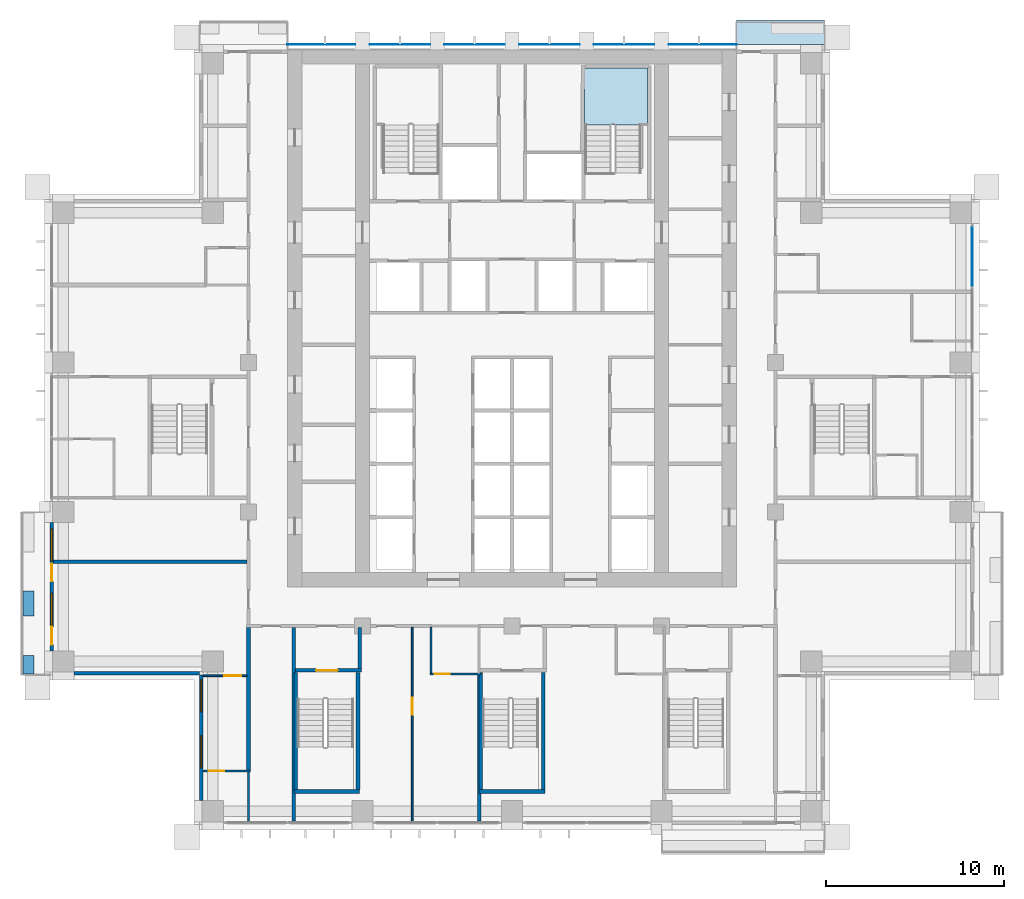
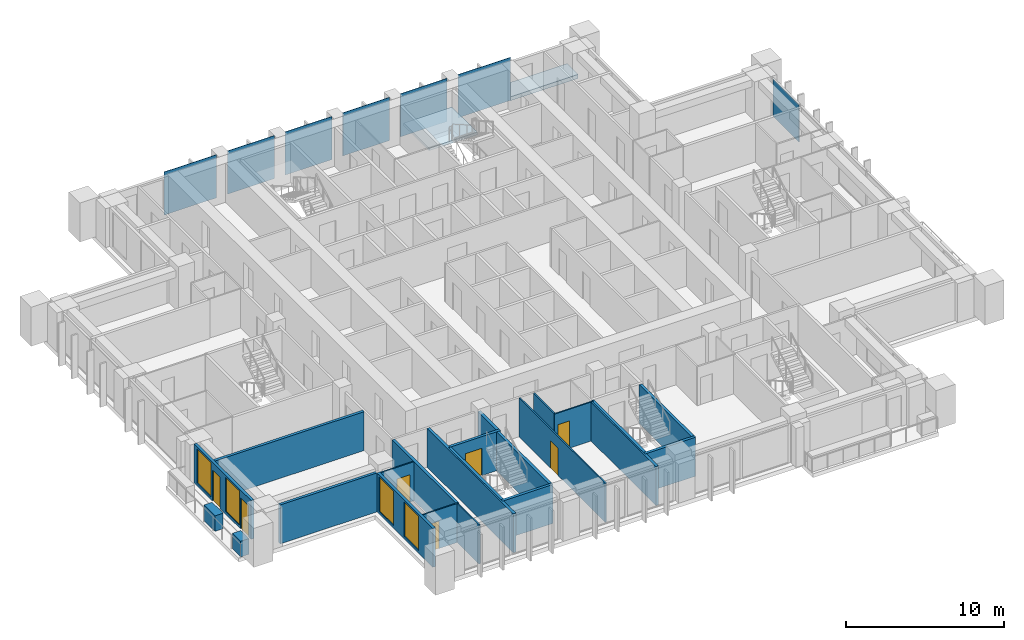
# One storey, part 9 of 21: 23 walls, 7 doors, 7 plates, 4 windows, 2 slabs, 11 openings, 2 elements without a shape of their own.
"""IFC4 building model written with IfcOpenShell, lengths in metres."""

import ifcopenshell
import ifcopenshell.guid

model = None  # the IFC model being written
_history = None  # IfcOwnerHistory: only IFC2X3 demands one
_inside = {}  # id of a spatial element -> (the spatial element, [elements in it])
_under = {}  # id of a project, library or spatial element -> (it, [spatial elements below it])
_declared = {}  # id of a project -> (the project, [libraries it declares])
_typed = {}  # id of a type object -> (the type object, [elements of that type])
_made_of = {}  # id of a material, layer set ... -> (it, [elements and type objects made of it])


def new_model(schema):
    """Start an empty IFC model of exactly this schema.

    Asked for "IFC4X3", IfcOpenShell would pick the latest addendum, in which some entities
    have other attributes; the version numbers below select the first issue.
    IFC2X3 requires an IfcOwnerHistory on every rooted entity: one is made here for all.
    """
    global model, _history
    if schema == "IFC4X3":
        model = ifcopenshell.file(schema_version=(4, 3, 0, 0))
    else:
        model = ifcopenshell.file(schema=schema)
    _inside.clear()
    _under.clear()
    _declared.clear()
    _typed.clear()
    _made_of.clear()
    _history = None
    if model.schema == "IFC2X3":
        org = make("IfcOrganization", Name="unknown")
        user = make(
            "IfcPersonAndOrganization",
            ThePerson=make("IfcPerson", FamilyName="unknown"),
            TheOrganization=org,
        )
        app = make(
            "IfcApplication",
            ApplicationDeveloper=org,
            Version="unknown",
            ApplicationFullName="unknown",
            ApplicationIdentifier="unknown",
        )
        _history = make(
            "IfcOwnerHistory",
            OwningUser=user,
            OwningApplication=app,
            ChangeAction="ADDED",
            CreationDate=0,
        )
    return model


def make(cls, **values):
    """One entity of the class cls with the attributes given. An attribute that is None is left unset."""
    return model.create_entity(
        cls, **{name: value for name, value in values.items() if value is not None}
    )


def rooted(cls, **values):
    """An entity with a GlobalId (a new one), such as an element, a storey or a relation."""
    return make(cls, GlobalId=ifcopenshell.guid.new(), OwnerHistory=_history, **values)


def si_unit(unit_type, name, prefix=None):
    """IfcSIUnit, for example si_unit("LENGTHUNIT", "METRE", prefix="MILLI")."""
    return make("IfcSIUnit", UnitType=unit_type, Prefix=prefix, Name=name)


def assignment(units):
    """IfcUnitAssignment: the units of a project."""
    return None if units is None else make("IfcUnitAssignment", Units=units)


def point(xyz):
    """IfcCartesianPoint."""
    return None if xyz is None else make("IfcCartesianPoint", Coordinates=xyz)


def direction(xyz):
    """IfcDirection."""
    return None if xyz is None else make("IfcDirection", DirectionRatios=xyz)


def frame(location, z_axis=None, x_axis=None):
    """IfcAxis2Placement3D, a coordinate frame: its origin and axes. An axis left out is left unset."""
    return make(
        "IfcAxis2Placement3D",
        Location=point(location),
        Axis=direction(z_axis),
        RefDirection=direction(x_axis),
    )


def frame_2d(location, x_axis=None):
    """IfcAxis2Placement2D, a coordinate frame in the plane: its origin and x axis."""
    return make(
        "IfcAxis2Placement2D", Location=point(location), RefDirection=direction(x_axis)
    )


def origin():
    """The frame at (0, 0, 0) with its axes left unset."""
    return frame((0.0, 0.0, 0.0))


def origin_2d():
    """The frame at (0, 0) in the plane with its x axis left unset."""
    return frame_2d((0.0, 0.0))


def place(relative_to, where):
    """IfcLocalPlacement: puts the frame where relative to a parent placement (None: the world)."""
    return make(
        "IfcLocalPlacement", PlacementRelTo=relative_to, RelativePlacement=where
    )


def context(
    kind, dimensions, precision=None, world=None, true_north=None, identifier=None
):
    """IfcGeometricRepresentationContext, for example the 3D "Model" context."""
    return make(
        "IfcGeometricRepresentationContext",
        ContextIdentifier=identifier,
        ContextType=kind,
        CoordinateSpaceDimension=dimensions,
        Precision=precision,
        WorldCoordinateSystem=world,
        TrueNorth=true_north,
    )


def subcontext(parent, identifier, kind, view, scale=None):
    """IfcGeometricRepresentationSubContext, for example "Body" below "Model"."""
    return make(
        "IfcGeometricRepresentationSubContext",
        ContextIdentifier=identifier,
        ContextType=kind,
        ParentContext=parent,
        TargetScale=scale,
        TargetView=view,
    )


def project(units=None, contexts=None):
    """IfcProject with its units and contexts."""
    return rooted(
        "IfcProject",
        Name="project",
        RepresentationContexts=contexts,
        UnitsInContext=assignment(units),
    )


def spatial(cls, under=None, at=None, **own):
    """A site, building, storey or space (cls), placed at a placement, below another one or the project."""
    s = rooted(cls, ObjectPlacement=at, **own)
    if under is not None:
        _under.setdefault(under.id(), (under, []))[1].append(s)
    return s


def polyline(points):
    """IfcPolyline through the points."""
    return make("IfcPolyline", Points=[point(p) for p in points])


def profile(cls, at=None, kind="AREA", **sizes):
    """A parametric profile (cls). Its sizes go by their IFC names, for example OverallWidth=200.0."""
    return make(cls, ProfileType=kind, Position=at, **sizes)


def rectangle(**sizes):
    """IfcRectangleProfileDef."""
    return profile("IfcRectangleProfileDef", **sizes)


def outline(outer, holes=None, kind="AREA"):
    """IfcArbitraryClosedProfileDef: a profile drawn as a closed curve; with holes, ...WithVoids."""
    if holes is None:
        return make("IfcArbitraryClosedProfileDef", ProfileType=kind, OuterCurve=outer)
    return make(
        "IfcArbitraryProfileDefWithVoids",
        ProfileType=kind,
        OuterCurve=outer,
        InnerCurves=holes,
    )


def extrude(swept, where, along, depth):
    """IfcExtrudedAreaSolid: the profile swept, set in the frame where, extruded along a direction by depth."""
    return make(
        "IfcExtrudedAreaSolid",
        SweptArea=swept,
        Position=where,
        ExtrudedDirection=direction(along),
        Depth=depth,
    )


def shape(context_of_items, identifier, shape_type, items):
    """IfcShapeRepresentation: the items that make up one representation, for example the "Body"."""
    return make(
        "IfcShapeRepresentation",
        ContextOfItems=context_of_items,
        RepresentationIdentifier=identifier,
        RepresentationType=shape_type,
        Items=items,
    )


def material(Name=None, Category=None):
    """IfcMaterial."""
    return make("IfcMaterial", Name=Name, Category=Category)


def layer(
    of_material, thickness, ventilated=None, Name=None, Category=None, Priority=None
):
    """IfcMaterialLayer: one layer of a wall or slab, of a material (None: an air gap)."""
    return make(
        "IfcMaterialLayer",
        Material=of_material,
        LayerThickness=thickness,
        IsVentilated=ventilated,
        Name=Name,
        Category=Category,
        Priority=Priority,
    )


def layer_set(layers, Name=None):
    """IfcMaterialLayerSet."""
    return make("IfcMaterialLayerSet", MaterialLayers=layers, LayerSetName=Name)


def made_of(thing, what):
    """Note that an element or type object is made of a material, layer set ...; save() writes the relation."""
    if what is not None:
        _made_of.setdefault(what.id(), (what, []))[1].append(thing)
    return thing


def type_object(cls, material=None, **own):
    """A type object (cls), such as IfcWallType, which elements share."""
    return made_of(rooted(cls, **own), material)


def element(
    cls,
    number,
    at=None,
    inside=None,
    cuts=None,
    type_object=None,
    material=None,
    context=None,
    identifier="Body",
    shape_type=None,
    held_by="IfcProductDefinitionShape",
    body=None,
    shapes=None,
    **own,
):
    """One element of the class cls, such as IfcWall. Its Tag is "e" and its number.

    at: its placement. inside: the storey or other place that contains it. cuts: it is an
    opening in that element (IfcRelVoidsElement). A single representation is given by context,
    identifier, shape_type and body (its items); several are given by shapes. held_by: the class
    of the entity that holds the representations. save() writes the other relations.
    """
    e = rooted(cls, Tag="e%d" % number, ObjectPlacement=at, **own)
    if body is not None:
        shapes = [shape(context, identifier, shape_type, body)]
    if shapes is not None:
        e.Representation = make(held_by, Representations=shapes)
    if inside is not None:
        _inside.setdefault(inside.id(), (inside, []))[1].append(e)
    if cuts is not None:
        rooted(
            "IfcRelVoidsElement", RelatingBuildingElement=cuts, RelatedOpeningElement=e
        )
    if type_object is not None:
        _typed.setdefault(type_object.id(), (type_object, []))[1].append(e)
    return made_of(e, material)


def fill(opening, filler):
    """IfcRelFillsElement: the door or window that sits in an opening."""
    return rooted(
        "IfcRelFillsElement",
        RelatingOpeningElement=opening,
        RelatedBuildingElement=filler,
    )


def aggregate(whole, parts):
    """IfcRelAggregates: a whole, such as a stair, and the parts it consists of."""
    return rooted("IfcRelAggregates", RelatingObject=whole, RelatedObjects=parts)


def save(model, path):
    """Write the relations noted so far, then the file.

    IfcRelAggregates (storeys below a building ...), IfcRelContainedInSpatialStructure (elements
    in a storey), IfcRelDefinesByType, IfcRelAssociatesMaterial and IfcRelDeclares: one each for
    every whole, place, type object, material and project.
    """
    for whole, parts in _under.values():
        aggregate(whole, parts)
    for where, things in _inside.values():
        rooted(
            "IfcRelContainedInSpatialStructure",
            RelatedElements=things,
            RelatingStructure=where,
        )
    for kind, things in _typed.values():
        rooted("IfcRelDefinesByType", RelatedObjects=things, RelatingType=kind)
    for what, things in _made_of.values():
        rooted("IfcRelAssociatesMaterial", RelatedObjects=things, RelatingMaterial=what)
    for by, libraries in _declared.values():
        rooted("IfcRelDeclares", RelatingContext=by, RelatedDefinitions=libraries)
    model.write(path)


model = new_model("IFC4")

# Units and contexts
model_context = context("Model", 3, precision=1e-05, world=origin(), true_north=direction((0.0, 1.0)))
body_context = subcontext(model_context, "Body", "Model", "MODEL_VIEW")
ifc_project = project(units=[si_unit("LENGTHUNIT", "METRE"), si_unit("AREAUNIT", "SQUARE_METRE"), si_unit("VOLUMEUNIT", "CUBIC_METRE"), si_unit("PLANEANGLEUNIT", "RADIAN"), si_unit("MASSUNIT", "GRAM", prefix="KILO")], contexts=[model_context])

# Site, building, storey
site_placement = place(None, origin())
site = spatial("IfcSite", under=ifc_project, at=site_placement, CompositionType="ELEMENT")
building_placement = place(site_placement, origin())
building = spatial("IfcBuilding", under=site, at=building_placement, Name="Vermilion Ogive Tower", CompositionType="ELEMENT")
storey_placement = place(building_placement, frame((0.0, 0.0, 118.35009765625)))
storey = spatial("IfcBuildingStorey", under=building, at=storey_placement, Name="L30", CompositionType="ELEMENT", Elevation=118.35009765625)

# Slab
ifc_material_1 = material(Name="Concrete B40", Category="concrete")
ifc_layer_1 = layer(ifc_material_1, 0.300048828125)
ifc_layer_set_1 = layer_set([ifc_layer_1], Name="Balcony slab")
slab_type_1 = type_object("IfcSlabType", Name="Balcony slab", PredefinedType="FLOOR", material=ifc_layer_set_1)
slab_1_placement = place(storey_placement, frame((0.0, 0.0, -0.340087890625)))
element("IfcSlab", 1, at=slab_1_placement, inside=storey, type_object=slab_type_1, Name="Balcony slab N101", PredefinedType="FLOOR", context=body_context, shape_type="SweptSolid", body=[
    extrude(outline(polyline([(17.550048828125, 23.43408203125), (12.60009765625, 23.43408203125), (12.60009765625, 22.050048828125), (17.550048828125, 22.050048828125), (17.550048828125, 23.43408203125)])), origin(), (0.0, 0.0, 1.0), 0.300048828125),
])

# Curtain wall, plate
ifc_material_2 = material(Name="Low-iron laminated glazing in aluminium frame", Category="aluminium")
curtain_wall_type = type_object("IfcCurtainWallType", Name="Curtain wall CW7", PredefinedType="NOTDEFINED", material=ifc_material_2)
curtain_wall_placement = place(storey_placement, origin())
curtain_wall = element("IfcCurtainWall", 2, at=curtain_wall_placement, inside=storey, type_object=curtain_wall_type, Name="Glazed skin E3", PredefinedType="NOTDEFINED")
ifc_material_3 = material(Name="Low-iron laminated glazing in aluminium frame", Category="aluminium")
ifc_layer_2 = layer(ifc_material_3, 0.031982421875)
ifc_layer_set_2 = layer_set([ifc_layer_2], Name="CW7 glazing panel 32")
plate_type_1 = type_object("IfcPlateType", Name="CW7 glazing panel 32", PredefinedType="CURTAIN_PANEL", material=ifc_layer_set_2)
plate_1_placement = place(storey_placement, frame((25.85009765625, 10.155029296875, 0.06005859375), z_axis=(0.0, 0.0, 1.0), x_axis=(0.0, 1.0, 0.0)))
plate_1 = element("IfcPlate", 3, at=plate_1_placement, type_object=plate_type_1, Name="CW7-E3 panel 2.1", PredefinedType="CURTAIN_PANEL", context=body_context, shape_type="SweptSolid", body=[
    extrude(rectangle(XDim=3.330078125, YDim=0.031982421875, at=origin_2d()), origin(), (0.0, 0.0, 1.0), 2.8798828125),
])
aggregate(curtain_wall, [plate_1])

# Plates
ifc_material_4 = material(Name="Low-iron laminated glazing in aluminium frame", Category="aluminium")
ifc_layer_3 = layer(ifc_material_4, 0.031982421875)
ifc_layer_set_3 = layer_set([ifc_layer_3], Name="Glazed rainscreen sheet 32")
plate_type_2 = type_object("IfcPlateType", Name="Glazed rainscreen sheet 32", PredefinedType="SHEET", material=ifc_layer_set_3)
plate_2_placement = place(storey_placement, frame((-10.7099609375, 22.06591796875, -0.3203125), z_axis=(0.0, 0.0, 1.0), x_axis=(1.0, 0.0, 0.0)))
element("IfcPlate", 4, at=plate_2_placement, inside=storey, type_object=plate_type_2, Name="Glazed rainscreen sheet N1", PredefinedType="SHEET", context=body_context, shape_type="SweptSolid", body=[
    extrude(rectangle(XDim=3.820068359375, YDim=0.031982421875, at=origin_2d()), origin(), (0.0, 0.0, 1.0), 3.320068359375),
])
for number, where, z_axis, x_axis, name in (
    (5, (-6.300048828125, 22.06591796875, -0.3203125), (0.0, 0.0, 1.0), (1.0, 0.0, 0.0), "Glazed rainscreen sheet N2"),
    (6, (-2.10009765625, 22.06591796875, -0.3203125), (0.0, 0.0, 1.0), (1.0, 0.0, 0.0), "Glazed rainscreen sheet N3"),
    (7, (2.10009765625, 22.06591796875, -0.3203125), (0.0, 0.0, 1.0), (1.0, 0.0, 0.0), "Glazed rainscreen sheet N4"),
    (8, (6.300048828125, 22.06591796875, -0.3203125), (0.0, 0.0, 1.0), (1.0, 0.0, 0.0), "Glazed rainscreen sheet N5"),
):
    element("IfcPlate", number, at=place(storey_placement, frame(where, z_axis=z_axis, x_axis=x_axis)), inside=storey, type_object=plate_type_2, Name=name, PredefinedType="SHEET", context=body_context, shape_type="SweptSolid", body=[
        extrude(rectangle(XDim=3.39990234375, YDim=0.031982421875, at=origin_2d()), origin(), (0.0, 0.0, 1.0), 3.320068359375),
    ])
plate_3_placement = place(storey_placement, frame((10.7099609375, 22.06591796875, -0.3203125), z_axis=(0.0, 0.0, 1.0), x_axis=(1.0, 0.0, 0.0)))
element("IfcPlate", 9, at=plate_3_placement, inside=storey, type_object=plate_type_2, Name="Glazed rainscreen sheet N6", PredefinedType="SHEET", context=body_context, shape_type="SweptSolid", body=[
    extrude(rectangle(XDim=3.820068359375, YDim=0.031982421875, at=origin_2d()), origin(), (0.0, 0.0, 1.0), 3.320068359375),
])

# Stair, slab
ifc_material_5 = material(Name="Concrete B40", Category="concrete")
stair_type = type_object("IfcStairType", Name="Exit stair 1500", PredefinedType="HALF_TURN_STAIR", material=ifc_material_5)
stair_placement = place(storey_placement, origin())
stair = element("IfcStair", 10, at=stair_placement, inside=storey, type_object=stair_type, Name="L30 Exit Stair ST2", PredefinedType="HALF_TURN_STAIR")
ifc_material_6 = material(Name="Concrete B40", Category="concrete")
ifc_layer_4 = layer(ifc_material_6, 0.199951171875)
ifc_layer_set_4 = layer_set([ifc_layer_4], Name="Stair landing 200")
slab_type_2 = type_object("IfcSlabType", Name="Stair landing 200", PredefinedType="LANDING", material=ifc_layer_set_4)
slab_2_placement = place(storey_placement, frame((0.0, 0.0, 1.52490234375)))
slab_2 = element("IfcSlab", 11, at=slab_2_placement, type_object=slab_type_2, Name="ST2 landing 1", PredefinedType="LANDING", context=body_context, shape_type="SweptSolid", body=[
    extrude(outline(polyline([(5.60009765625, 17.550048828125), (5.75, 17.550048828125), (5.75, 17.548095703125), (7.25, 17.548095703125), (7.25, 17.550048828125), (7.60009765625, 17.550048828125), (7.60009765625, 20.75), (4.074951171875, 20.75), (4.074951171875, 17.550048828125), (4.10009765625, 17.550048828125), (4.10009765625, 17.548095703125), (5.60009765625, 17.548095703125), (5.60009765625, 17.550048828125)])), origin(), (0.0, 0.0, 1.0), 0.199951171875),
])
aggregate(stair, [slab_2])

# Wall, opening, door
ifc_material_7 = material(Name="Gypsum board partition on steel studs", Category="steel")
ifc_layer_5 = layer(ifc_material_7, 0.10009765625)
ifc_layer_set_5 = layer_set([ifc_layer_5], Name="Partition 100 bath")
wall_type_1 = type_object("IfcWallType", Name="Partition 100 bath", PredefinedType="PARTITIONING", material=ifc_layer_set_5)
wall_1_placement = place(storey_placement, frame((-17.35009765625, -18.75, 0.0), z_axis=(0.0, 0.0, 1.0), x_axis=(1.0, 0.0, 0.0)))
wall_1 = element("IfcWall", 12, at=wall_1_placement, inside=storey, type_object=wall_type_1, Name="L30-W-W005", PredefinedType="PARTITIONING", context=body_context, shape_type="SweptSolid", body=[
    extrude(rectangle(XDim=2.650146484375, YDim=0.10009765625, at=frame_2d((1.3251953125, 0.0))), origin(), (0.0, 0.0, 1.0), 3.0),
])
opening_1_placement = place(wall_1_placement, frame((0.3251953125, 0.0, 0.0)))
opening_1 = element("IfcOpeningElement", 13, at=opening_1_placement, cuts=wall_1, Name="Opening D2G6003", PredefinedType="OPENING", context=body_context, shape_type="SweptSolid", body=[
    extrude(rectangle(XDim=0.85009765625, YDim=2.10009765625, at=frame_2d((0.425048828125, 1.050048828125))), frame((0.0, 0.06005859375, 0.0), z_axis=(0.0, -1.0, 0.0), x_axis=(1.0, 0.0, 0.0)), (0.0, 0.0, 1.0), 0.1201171875),
])
ifc_material_8 = material(Name="Timber door leaf", Category="wood")
door_type_1 = type_object("IfcDoorType", Name="Bath door 850 x 2100 FD30", OperationType="SINGLE_SWING_LEFT", PredefinedType="DOOR", material=ifc_material_8)
door_1_placement = place(opening_1_placement, origin())
door_1 = element("IfcDoor", 14, at=door_1_placement, inside=storey, type_object=door_type_1, Name="L30-D-D003", OperationType="SINGLE_SWING_RIGHT", OverallHeight=2.10009765625, OverallWidth=0.85009765625, PredefinedType="DOOR", context=body_context, shape_type="SweptSolid", body=[
    extrude(rectangle(XDim=0.85009765625, YDim=2.10009765625, at=frame_2d((0.425048828125, 1.050048828125))), frame((0.0, 0.02490234375, 0.0), z_axis=(0.0, -1.0, 0.0), x_axis=(1.0, 0.0, 0.0)), (0.0, 0.0, 1.0), 0.050048828125),
])
fill(opening_1, door_1)

wall_2_placement = place(storey_placement, frame((-4.60009765625, -13.300048828125, 0.0), z_axis=(0.0, 0.0, 1.0), x_axis=(1.0, 0.0, 0.0)))
wall_2 = element("IfcWall", 15, at=wall_2_placement, inside=storey, type_object=wall_type_1, Name="L30-W-W008", PredefinedType="PARTITIONING", context=body_context, shape_type="SweptSolid", body=[
    extrude(rectangle(XDim=2.85009765625, YDim=0.10009765625, at=frame_2d((1.425048828125, 0.0))), origin(), (0.0, 0.0, 1.0), 3.0),
])
opening_2_placement = place(wall_2_placement, frame((0.25, 0.0, 0.0)))
opening_2 = element("IfcOpeningElement", 16, at=opening_2_placement, cuts=wall_2, Name="Opening D2G6013", PredefinedType="OPENING", context=body_context, shape_type="SweptSolid", body=[
    extrude(rectangle(XDim=0.85009765625, YDim=2.10009765625, at=frame_2d((0.425048828125, 1.050048828125))), frame((0.0, 0.06005859375, 0.0), z_axis=(0.0, -1.0, 0.0), x_axis=(1.0, 0.0, 0.0)), (0.0, 0.0, 1.0), 0.1201171875),
])
door_2_placement = place(opening_2_placement, origin())
door_2 = element("IfcDoor", 17, at=door_2_placement, inside=storey, type_object=door_type_1, Name="L30-D-D013", OperationType="SINGLE_SWING_LEFT", OverallHeight=2.10009765625, OverallWidth=0.85009765625, PredefinedType="DOOR", context=body_context, shape_type="SweptSolid", body=[
    extrude(rectangle(XDim=0.85009765625, YDim=2.10009765625, at=frame_2d((0.425048828125, 1.050048828125))), frame((0.0, 0.02490234375, 0.0), z_axis=(0.0, -1.0, 0.0), x_axis=(1.0, 0.0, 0.0)), (0.0, 0.0, 1.0), 0.050048828125),
])
fill(opening_2, door_2)

# Walls
wall_3_placement = place(storey_placement, frame((-14.800048828125, -21.550048828125, 0.0), z_axis=(0.0, 0.0, 1.0), x_axis=(0.0, 1.0, 0.0)))
element("IfcWall", 18, at=wall_3_placement, inside=storey, type_object=wall_type_1, Name="L30-W-W046", PredefinedType="PARTITIONING", context=body_context, shape_type="SweptSolid", body=[
    extrude(rectangle(XDim=2.75, YDim=0.10009765625, at=frame_2d((1.375, 0.0))), origin(), (0.0, 0.0, 1.0), 3.0),
])
wall_4_placement = place(storey_placement, frame((-4.550048828125, -13.25, 0.0), z_axis=(0.0, 0.0, 1.0), x_axis=(0.0, 1.0, 0.0)))
element("IfcWall", 19, at=wall_4_placement, inside=storey, type_object=wall_type_1, Name="L30-W-W056", PredefinedType="PARTITIONING", context=body_context, shape_type="SweptSolid", body=[
    extrude(rectangle(XDim=2.574951171875, YDim=0.10009765625, at=frame_2d((1.28759765625, 0.0))), origin(), (0.0, 0.0, 1.0), 3.0),
])

# Wall, opening, door
ifc_material_9 = material(Name="Gypsum board partition on steel studs", Category="steel")
ifc_layer_6 = layer(ifc_material_9, 0.10009765625)
ifc_layer_set_6 = layer_set([ifc_layer_6], Name="Partition 100 inner")
wall_type_2 = type_object("IfcWallType", Name="Partition 100 inner", PredefinedType="PARTITIONING", material=ifc_layer_set_6)
wall_5_placement = place(storey_placement, frame((-17.35009765625, -13.39990234375, 0.0), z_axis=(0.0, 0.0, 1.0), x_axis=(1.0, 0.0, 0.0)))
wall_5 = element("IfcWall", 20, at=wall_5_placement, inside=storey, type_object=wall_type_2, Name="L30-W-W006", PredefinedType="PARTITIONING", context=body_context, shape_type="SweptSolid", body=[
    extrude(rectangle(XDim=2.4501953125, YDim=0.10009765625, at=frame_2d((1.22509765625, 0.0))), origin(), (0.0, 0.0, 1.0), 3.0),
])
opening_3_placement = place(wall_5_placement, frame((1.199951171875, 0.0, 0.0)))
opening_3 = element("IfcOpeningElement", 21, at=opening_3_placement, cuts=wall_5, Name="Opening D2G6002", PredefinedType="OPENING", context=body_context, shape_type="SweptSolid", body=[
    extrude(rectangle(XDim=0.949951171875, YDim=2.10009765625, at=frame_2d((0.47509765625, 1.050048828125))), frame((0.0, 0.06005859375, 0.0), z_axis=(0.0, -1.0, 0.0), x_axis=(1.0, 0.0, 0.0)), (0.0, 0.0, 1.0), 0.1201171875),
])
ifc_material_10 = material(Name="Timber door leaf", Category="wood")
door_type_2 = type_object("IfcDoorType", Name="Inner door 950 x 2100 FD30", OperationType="SINGLE_SWING_LEFT", PredefinedType="DOOR", material=ifc_material_10)
door_3_placement = place(opening_3_placement, origin())
door_3 = element("IfcDoor", 22, at=door_3_placement, inside=storey, type_object=door_type_2, Name="L30-D-D002", OperationType="SINGLE_SWING_RIGHT", OverallHeight=2.10009765625, OverallWidth=0.949951171875, PredefinedType="DOOR", context=body_context, shape_type="SweptSolid", body=[
    extrude(rectangle(XDim=0.949951171875, YDim=2.10009765625, at=frame_2d((0.47509765625, 1.050048828125))), frame((0.0, 0.02490234375, 0.0), z_axis=(0.0, -1.0, 0.0), x_axis=(1.0, 0.0, 0.0)), (0.0, 0.0, 1.0), 0.050048828125),
])
fill(opening_3, door_3)

wall_6_placement = place(storey_placement, frame((-5.60009765625, -21.550048828125, 0.0), z_axis=(0.0, 0.0, 1.0), x_axis=(0.0, 1.0, 0.0)))
wall_6 = element("IfcWall", 23, at=wall_6_placement, inside=storey, type_object=wall_type_2, Name="L30-W-W055", PredefinedType="PARTITIONING", context=body_context, shape_type="SweptSolid", body=[
    extrude(rectangle(XDim=10.875, YDim=0.10009765625, at=frame_2d((5.4375, 0.0))), origin(), (0.0, 0.0, 1.0), 3.0),
])
opening_4_placement = place(wall_6_placement, frame((5.97509765625, 0.0, 0.0)))
opening_4 = element("IfcOpeningElement", 24, at=opening_4_placement, cuts=wall_6, Name="Opening D2G6012", PredefinedType="OPENING", context=body_context, shape_type="SweptSolid", body=[
    extrude(rectangle(XDim=0.949951171875, YDim=2.10009765625, at=frame_2d((0.47509765625, 1.050048828125))), frame((0.0, 0.06005859375, 0.0), z_axis=(0.0, -1.0, 0.0), x_axis=(1.0, 0.0, 0.0)), (0.0, 0.0, 1.0), 0.1201171875),
])
door_4_placement = place(opening_4_placement, origin())
door_4 = element("IfcDoor", 25, at=door_4_placement, inside=storey, type_object=door_type_2, Name="L30-D-D012", OperationType="SINGLE_SWING_LEFT", OverallHeight=2.10009765625, OverallWidth=0.949951171875, PredefinedType="DOOR", context=body_context, shape_type="SweptSolid", body=[
    extrude(rectangle(XDim=0.949951171875, YDim=2.10009765625, at=frame_2d((0.47509765625, 1.050048828125))), frame((0.0, 0.02490234375, 0.0), z_axis=(0.0, -1.0, 0.0), x_axis=(1.0, 0.0, 0.0)), (0.0, 0.0, 1.0), 0.050048828125),
])
fill(opening_4, door_4)

# Walls
ifc_material_11 = material(Name="Gypsum board partition on steel studs", Category="steel")
ifc_layer_7 = layer(ifc_material_11, 0.199951171875)
ifc_layer_set_7 = layer_set([ifc_layer_7], Name="Partition 200 party")
wall_type_3 = type_object("IfcWallType", Name="Partition 200 party", PredefinedType="PARTITIONING", material=ifc_layer_set_7)
wall_7_placement = place(storey_placement, frame((-25.75, -7.0, 0.0), z_axis=(0.0, 0.0, 1.0), x_axis=(1.0, 0.0, 0.0)))
element("IfcWall", 26, at=wall_7_placement, inside=storey, type_object=wall_type_3, Name="L30-W-W018", PredefinedType="PARTITIONING", context=body_context, shape_type="SweptSolid", body=[
    extrude(rectangle(XDim=10.875, YDim=0.199951171875, at=frame_2d((5.4375, 0.0))), origin(), (0.0, 0.0, 1.0), 3.0),
])
wall_8_placement = place(storey_placement, frame((-14.800048828125, -18.699951171875, 0.0), z_axis=(0.0, 0.0, 1.0), x_axis=(0.0, 1.0, 0.0)))
element("IfcWall", 27, at=wall_8_placement, inside=storey, type_object=wall_type_3, Name="L30-W-W047", PredefinedType="PARTITIONING", context=body_context, shape_type="SweptSolid", body=[
    extrude(rectangle(XDim=8.02490234375, YDim=0.199951171875, at=frame_2d((4.012451171875, 0.0))), origin(), (0.0, 0.0, 1.0), 3.0),
])
wall_9_placement = place(storey_placement, frame((-8.550048828125, -12.998046875, 0.0), z_axis=(0.0, 0.0, 1.0), x_axis=(0.0, 1.0, 0.0)))
element("IfcWall", 28, at=wall_9_placement, inside=storey, type_object=wall_type_3, Name="L30-W-W054", PredefinedType="PARTITIONING", context=body_context, shape_type="SweptSolid", body=[
    extrude(rectangle(XDim=2.322998046875, YDim=0.199951171875, at=frame_2d((1.16162109375, 0.0))), origin(), (0.0, 0.0, 1.0), 3.0),
])
ifc_material_12 = material(Name="Concrete B60", Category="concrete")
ifc_layer_8 = layer(ifc_material_12, 0.199951171875)
ifc_layer_set_8 = layer_set([ifc_layer_8], Name="Stair shaft wall 200 Concrete B60")
wall_type_4 = type_object("IfcWallType", Name="Stair shaft wall 200 Concrete B60", PredefinedType="SOLIDWALL", material=ifc_layer_set_8)
wall_10_placement = place(storey_placement, frame((-12.248046875, -19.89990234375, 0.0), z_axis=(0.0, 0.0, 1.0), x_axis=(1.0, 0.0, 0.0)))
element("IfcWall", 29, at=wall_10_placement, inside=storey, type_object=wall_type_4, Name="L30-W-W002", PredefinedType="SOLIDWALL", context=body_context, shape_type="SweptSolid", body=[
    extrude(rectangle(XDim=3.696044921875, YDim=0.199951171875, at=frame_2d((1.84814453125, 0.0))), origin(), (0.0, 0.0, 1.0), 3.0),
])
wall_11_placement = place(storey_placement, frame((-1.847900390625, -19.89990234375, 0.0), z_axis=(0.0, 0.0, 1.0), x_axis=(1.0, 0.0, 0.0)))
element("IfcWall", 30, at=wall_11_placement, inside=storey, type_object=wall_type_4, Name="L30-W-W003", PredefinedType="SOLIDWALL", context=body_context, shape_type="SweptSolid", body=[
    extrude(rectangle(XDim=3.69580078125, YDim=0.199951171875, at=frame_2d((1.847900390625, 0.0))), origin(), (0.0, 0.0, 1.0), 3.0),
])

# Wall, opening, door
wall_12_placement = place(storey_placement, frame((-12.14794921875, -13.10009765625, 0.0), z_axis=(0.0, 0.0, 1.0), x_axis=(1.0, 0.0, 0.0)))
wall_12 = element("IfcWall", 31, at=wall_12_placement, inside=storey, type_object=wall_type_4, Name="L30-W-W010", PredefinedType="SOLIDWALL", context=body_context, shape_type="SweptSolid", body=[
    extrude(rectangle(XDim=3.696044921875, YDim=0.199951171875, at=frame_2d((1.84814453125, 0.0))), origin(), (0.0, 0.0, 1.0), 3.0),
])
opening_5_placement = place(wall_12_placement, frame((1.14794921875, 0.0, 0.0)))
opening_5 = element("IfcOpeningElement", 32, at=opening_5_placement, cuts=wall_12, Name="Opening D2G6029", PredefinedType="OPENING", context=body_context, shape_type="SweptSolid", body=[
    extrude(rectangle(XDim=1.199951171875, YDim=2.10009765625, at=frame_2d((0.60009765625, 1.050048828125))), frame((0.0, 0.10986328125, 0.0), z_axis=(0.0, -1.0, 0.0), x_axis=(1.0, 0.0, 0.0)), (0.0, 0.0, 1.0), 0.219970703125),
])
ifc_material_13 = material(Name="Timber door leaf", Category="wood")
door_type_3 = type_object("IfcDoorType", Name="Stair door 1200 x 2100 FD60S", OperationType="SINGLE_SWING_LEFT", PredefinedType="DOOR", material=ifc_material_13)
door_5_placement = place(opening_5_placement, origin())
door_5 = element("IfcDoor", 33, at=door_5_placement, inside=storey, type_object=door_type_3, Name="L30-D-D029", OperationType="SINGLE_SWING_RIGHT", OverallHeight=2.10009765625, OverallWidth=1.199951171875, PredefinedType="DOOR", context=body_context, shape_type="SweptSolid", body=[
    extrude(rectangle(XDim=1.199951171875, YDim=2.10009765625, at=frame_2d((0.60009765625, 1.050048828125))), frame((0.0, 0.02490234375, 0.0), z_axis=(0.0, -1.0, 0.0), x_axis=(1.0, 0.0, 0.0)), (0.0, 0.0, 1.0), 0.050048828125),
])
fill(opening_5, door_5)

# Walls
for number, where, z_axis, x_axis, name in (
    (34, (-12.14990234375, -19.798095703125, 0.0), (0.0, 0.0, 1.0), (0.0, 1.0, 0.0), "L30-W-W052"),
    (35, (-8.64990234375, -19.798095703125, 0.0), (0.0, 0.0, 1.0), (0.0, 1.0, 0.0), "L30-W-W053"),
    (36, (-1.75, -19.798095703125, 0.0), (0.0, 0.0, 1.0), (0.0, 1.0, 0.0), "L30-W-W059"),
    (37, (1.75, -19.798095703125, 0.0), (0.0, 0.0, 1.0), (0.0, 1.0, 0.0), "L30-W-W060"),
):
    element("IfcWall", number, at=place(storey_placement, frame(where, z_axis=z_axis, x_axis=x_axis)), inside=storey, type_object=wall_type_4, Name=name, PredefinedType="SOLIDWALL", context=body_context, shape_type="SweptSolid", body=[
        extrude(rectangle(XDim=6.59619140625, YDim=0.199951171875, at=frame_2d((3.298095703125, 0.0))), origin(), (0.0, 0.0, 1.0), 3.0),
    ])
wall_13_placement = place(storey_placement, frame((-12.25, -21.550048828125, 0.0), z_axis=(0.0, 0.0, 1.0), x_axis=(0.0, 1.0, 0.0)))
element("IfcWall", 38, at=wall_13_placement, inside=storey, type_object=wall_type_4, Name="L30-W-W051-A", PredefinedType="SOLIDWALL", context=body_context, shape_type="SweptSolid", body=[
    extrude(rectangle(XDim=10.875, YDim=0.199951171875, at=frame_2d((5.4375, 0.0))), origin(), (0.0, 0.0, 1.0), 3.0),
])
wall_14_placement = place(storey_placement, frame((-1.85009765625, -21.550048828125, 0.0), z_axis=(0.0, 0.0, 1.0), x_axis=(0.0, 1.0, 0.0)))
element("IfcWall", 39, at=wall_14_placement, inside=storey, type_object=wall_type_4, Name="L30-W-W057-A", PredefinedType="SOLIDWALL", context=body_context, shape_type="SweptSolid", body=[
    extrude(rectangle(XDim=8.199951171875, YDim=0.199951171875, at=frame_2d((4.10009765625, 0.0))), origin(), (0.0, 0.0, 1.0), 3.0),
])
ifc_material_14 = material(Name="Concrete B40", Category="concrete")
ifc_layer_9 = layer(ifc_material_14, 0.60009765625)
ifc_layer_set_9 = layer_set([ifc_layer_9], Name="Structural planter")
wall_type_5 = type_object("IfcWallType", Name="Structural planter", PredefinedType="USERDEFINED", material=ifc_layer_set_9)
wall_15_placement = place(storey_placement, frame((-27.154052734375, -8.64990234375, -0.0400390625), z_axis=(0.0, 0.0, 1.0), x_axis=(0.0, -1.0, 0.0)))
element("IfcWall", 40, at=wall_15_placement, inside=storey, type_object=wall_type_5, Name="Planter W03A2", ObjectType="PLANTER", PredefinedType="USERDEFINED", context=body_context, shape_type="SweptSolid", body=[
    extrude(rectangle(XDim=1.400146484375, YDim=0.60009765625, at=frame_2d((0.7001953125, 0.0))), origin(), (0.0, 0.0, 1.0), 1.199951171875),
])
wall_16_placement = place(storey_placement, frame((-27.154052734375, -12.25, -0.0400390625), z_axis=(0.0, 0.0, 1.0), x_axis=(0.0, -1.0, 0.0)))
element("IfcWall", 41, at=wall_16_placement, inside=storey, type_object=wall_type_5, Name="Planter W03A3", ObjectType="PLANTER", PredefinedType="USERDEFINED", context=body_context, shape_type="SweptSolid", body=[
    extrude(rectangle(XDim=1.0400390625, YDim=0.60009765625, at=frame_2d((0.52001953125, 0.0))), origin(), (0.0, 0.0, 1.0), 1.199951171875),
])

# Wall, openings, doors, windows
ifc_material_15 = material(Name="Aluminium window wall framing", Category="aluminium")
ifc_layer_10 = layer(ifc_material_15, 0.199951171875)
ifc_layer_set_10 = layer_set([ifc_layer_10], Name="Window wall")
wall_type_6 = type_object("IfcWallType", Name="Window wall", PredefinedType="STANDARD", material=ifc_layer_set_10)
wall_17_placement = place(storey_placement, frame((-25.85009765625, -4.800048828125, 0.0), z_axis=(0.0, 0.0, 1.0), x_axis=(0.0, -1.0, 0.0)))
wall_17 = element("IfcWall", 42, at=wall_17_placement, inside=storey, type_object=wall_type_6, Name="Window wall W3", PredefinedType="STANDARD", context=body_context, shape_type="SweptSolid", body=[
    extrude(rectangle(XDim=7.199951171875, YDim=0.199951171875, at=frame_2d((3.60009765625, 0.0))), origin(), (0.0, 0.0, 1.0), 3.0),
])
opening_6_placement = place(wall_17_placement, frame((3.949951171875, 0.0, 0.199951171875)))
opening_6 = element("IfcOpeningElement", 43, at=opening_6_placement, cuts=wall_17, Name="Opening W1-W97", PredefinedType="OPENING", context=body_context, shape_type="SweptSolid", body=[
    extrude(rectangle(XDim=1.800048828125, YDim=2.64990234375, at=frame_2d((0.89990234375, 1.324951171875))), frame((0.0, 0.10986328125, 0.0), z_axis=(0.0, -1.0, 0.0), x_axis=(1.0, 0.0, 0.0)), (0.0, 0.0, 1.0), 0.219970703125),
])
opening_7_placement = place(wall_17_placement, frame((5.85009765625, 0.0, 0.0)))
opening_7 = element("IfcOpeningElement", 44, at=opening_7_placement, cuts=wall_17, Name="Opening D1-W97", PredefinedType="OPENING", context=body_context, shape_type="SweptSolid", body=[
    extrude(rectangle(XDim=1.0, YDim=2.39990234375, at=frame_2d((0.5, 1.199951171875))), frame((0.0, 0.10986328125, 0.0), z_axis=(0.0, -1.0, 0.0), x_axis=(1.0, 0.0, 0.0)), (0.0, 0.0, 1.0), 0.219970703125),
])
opening_8_placement = place(wall_17_placement, frame((0.35009765625, 0.0, 0.199951171875)))
opening_8 = element("IfcOpeningElement", 45, at=opening_8_placement, cuts=wall_17, Name="Opening W1-W98", PredefinedType="OPENING", context=body_context, shape_type="SweptSolid", body=[
    extrude(rectangle(XDim=1.800048828125, YDim=2.64990234375, at=frame_2d((0.89990234375, 1.324951171875))), frame((0.0, 0.10986328125, 0.0), z_axis=(0.0, -1.0, 0.0), x_axis=(1.0, 0.0, 0.0)), (0.0, 0.0, 1.0), 0.219970703125),
])
opening_9_placement = place(wall_17_placement, frame((2.300048828125, 0.0, 0.0)))
opening_9 = element("IfcOpeningElement", 46, at=opening_9_placement, cuts=wall_17, Name="Opening D1-W98", PredefinedType="OPENING", context=body_context, shape_type="SweptSolid", body=[
    extrude(rectangle(XDim=1.0, YDim=2.39990234375, at=frame_2d((0.5, 1.199951171875))), frame((0.0, 0.10986328125, 0.0), z_axis=(0.0, -1.0, 0.0), x_axis=(1.0, 0.0, 0.0)), (0.0, 0.0, 1.0), 0.219970703125),
])
ifc_material_16 = material(Name="Aluminium framed glazed door", Category="aluminium")
door_type_4 = type_object("IfcDoorType", Name="Balcony door D1", OperationType="SINGLE_SWING_LEFT", PredefinedType="DOOR", material=ifc_material_16)
door_6_placement = place(opening_7_placement, origin())
door_6 = element("IfcDoor", 47, at=door_6_placement, inside=storey, type_object=door_type_4, Name="Balcony door W97", OperationType="SINGLE_SWING_LEFT", OverallHeight=2.39990234375, OverallWidth=1.0, PredefinedType="DOOR", context=body_context, shape_type="SweptSolid", body=[
    extrude(rectangle(XDim=1.0, YDim=2.39990234375, at=frame_2d((0.5, 1.199951171875))), frame((0.0, 0.02490234375, 0.0), z_axis=(0.0, -1.0, 0.0), x_axis=(1.0, 0.0, 0.0)), (0.0, 0.0, 1.0), 0.050048828125),
])
fill(opening_7, door_6)
door_7_placement = place(opening_9_placement, origin())
door_7 = element("IfcDoor", 48, at=door_7_placement, inside=storey, type_object=door_type_4, Name="Balcony door W98", OperationType="SINGLE_SWING_LEFT", OverallHeight=2.39990234375, OverallWidth=1.0, PredefinedType="DOOR", context=body_context, shape_type="SweptSolid", body=[
    extrude(rectangle(XDim=1.0, YDim=2.39990234375, at=frame_2d((0.5, 1.199951171875))), frame((0.0, 0.02490234375, 0.0), z_axis=(0.0, -1.0, 0.0), x_axis=(1.0, 0.0, 0.0)), (0.0, 0.0, 1.0), 0.050048828125),
])
fill(opening_9, door_7)
ifc_material_17 = material(Name="Aluminium framed double glazing", Category="aluminium")
window_type = type_object("IfcWindowType", Name="Guest window W1", PartitioningType="SINGLE_PANEL", PredefinedType="WINDOW", material=ifc_material_17)
window_1_placement = place(opening_6_placement, origin())
window_1 = element("IfcWindow", 49, at=window_1_placement, inside=storey, type_object=window_type, Name="Window W97", OverallHeight=2.64990234375, OverallWidth=1.800048828125, PartitioningType="SINGLE_PANEL", PredefinedType="WINDOW", context=body_context, shape_type="SweptSolid", body=[
    extrude(rectangle(XDim=1.800048828125, YDim=2.64990234375, at=frame_2d((0.89990234375, 1.324951171875))), frame((0.0, 0.030029296875, 0.0), z_axis=(0.0, -1.0, 0.0), x_axis=(1.0, 0.0, 0.0)), (0.0, 0.0, 1.0), 0.06005859375),
])
fill(opening_6, window_1)
window_2_placement = place(opening_8_placement, origin())
window_2 = element("IfcWindow", 50, at=window_2_placement, inside=storey, type_object=window_type, Name="Window W98", OverallHeight=2.64990234375, OverallWidth=1.800048828125, PartitioningType="SINGLE_PANEL", PredefinedType="WINDOW", context=body_context, shape_type="SweptSolid", body=[
    extrude(rectangle(XDim=1.800048828125, YDim=2.64990234375, at=frame_2d((0.89990234375, 1.324951171875))), frame((0.0, 0.030029296875, 0.0), z_axis=(0.0, -1.0, 0.0), x_axis=(1.0, 0.0, 0.0)), (0.0, 0.0, 1.0), 0.06005859375),
])
fill(opening_8, window_2)

# Wall
wall_18_placement = place(storey_placement, frame((-24.60009765625, -13.25, 0.0), z_axis=(0.0, 0.0, 1.0), x_axis=(1.0, 0.0, 0.0)))
element("IfcWall", 51, at=wall_18_placement, inside=storey, type_object=wall_type_6, Name="Window wall X71", PredefinedType="STANDARD", context=body_context, shape_type="SweptSolid", body=[
    extrude(rectangle(XDim=7.050048828125, YDim=0.199951171875, at=frame_2d((3.52490234375, 0.0))), origin(), (0.0, 0.0, 1.0), 3.0),
])

# Wall, openings, windows
wall_19_placement = place(storey_placement, frame((-17.449951171875, -13.35009765625, 0.0), z_axis=(0.0, 0.0, 1.0), x_axis=(0.0, -1.0, 0.0)))
wall_19 = element("IfcWall", 52, at=wall_19_placement, inside=storey, type_object=wall_type_6, Name="Window wall X81", PredefinedType="STANDARD", context=body_context, shape_type="SweptSolid", body=[
    extrude(rectangle(XDim=7.0498046875, YDim=0.199951171875, at=frame_2d((3.52490234375, 0.0))), origin(), (0.0, 0.0, 1.0), 3.0),
])
opening_10_placement = place(wall_19_placement, frame((3.419921875, 0.0, 0.199951171875)))
opening_10 = element("IfcOpeningElement", 53, at=opening_10_placement, cuts=wall_19, Name="Opening W1-X895", PredefinedType="OPENING", context=body_context, shape_type="SweptSolid", body=[
    extrude(rectangle(XDim=1.800048828125, YDim=2.64990234375, at=frame_2d((0.89990234375, 1.324951171875))), frame((0.0, 0.10986328125, 0.0), z_axis=(0.0, -1.0, 0.0), x_axis=(1.0, 0.0, 0.0)), (0.0, 0.0, 1.0), 0.219970703125),
])
opening_11_placement = place(wall_19_placement, frame((0.27490234375, 0.0, 0.199951171875)))
opening_11 = element("IfcOpeningElement", 54, at=opening_11_placement, cuts=wall_19, Name="Opening W1-X896", PredefinedType="OPENING", context=body_context, shape_type="SweptSolid", body=[
    extrude(rectangle(XDim=1.800048828125, YDim=2.64990234375, at=frame_2d((0.89990234375, 1.324951171875))), frame((0.0, 0.10986328125, 0.0), z_axis=(0.0, -1.0, 0.0), x_axis=(1.0, 0.0, 0.0)), (0.0, 0.0, 1.0), 0.219970703125),
])
window_3_placement = place(opening_10_placement, origin())
window_3 = element("IfcWindow", 55, at=window_3_placement, inside=storey, type_object=window_type, Name="Window X895", OverallHeight=2.64990234375, OverallWidth=1.800048828125, PartitioningType="SINGLE_PANEL", PredefinedType="WINDOW", context=body_context, shape_type="SweptSolid", body=[
    extrude(rectangle(XDim=1.800048828125, YDim=2.64990234375, at=frame_2d((0.89990234375, 1.324951171875))), frame((0.0, 0.030029296875, 0.0), z_axis=(0.0, -1.0, 0.0), x_axis=(1.0, 0.0, 0.0)), (0.0, 0.0, 1.0), 0.06005859375),
])
fill(opening_10, window_3)
window_4_placement = place(opening_11_placement, origin())
window_4 = element("IfcWindow", 56, at=window_4_placement, inside=storey, type_object=window_type, Name="Window X896", OverallHeight=2.64990234375, OverallWidth=1.800048828125, PartitioningType="SINGLE_PANEL", PredefinedType="WINDOW", context=body_context, shape_type="SweptSolid", body=[
    extrude(rectangle(XDim=1.800048828125, YDim=2.64990234375, at=frame_2d((0.89990234375, 1.324951171875))), frame((0.0, 0.030029296875, 0.0), z_axis=(0.0, -1.0, 0.0), x_axis=(1.0, 0.0, 0.0)), (0.0, 0.0, 1.0), 0.06005859375),
])
fill(opening_11, window_4)

save(model, "model.ifc")
